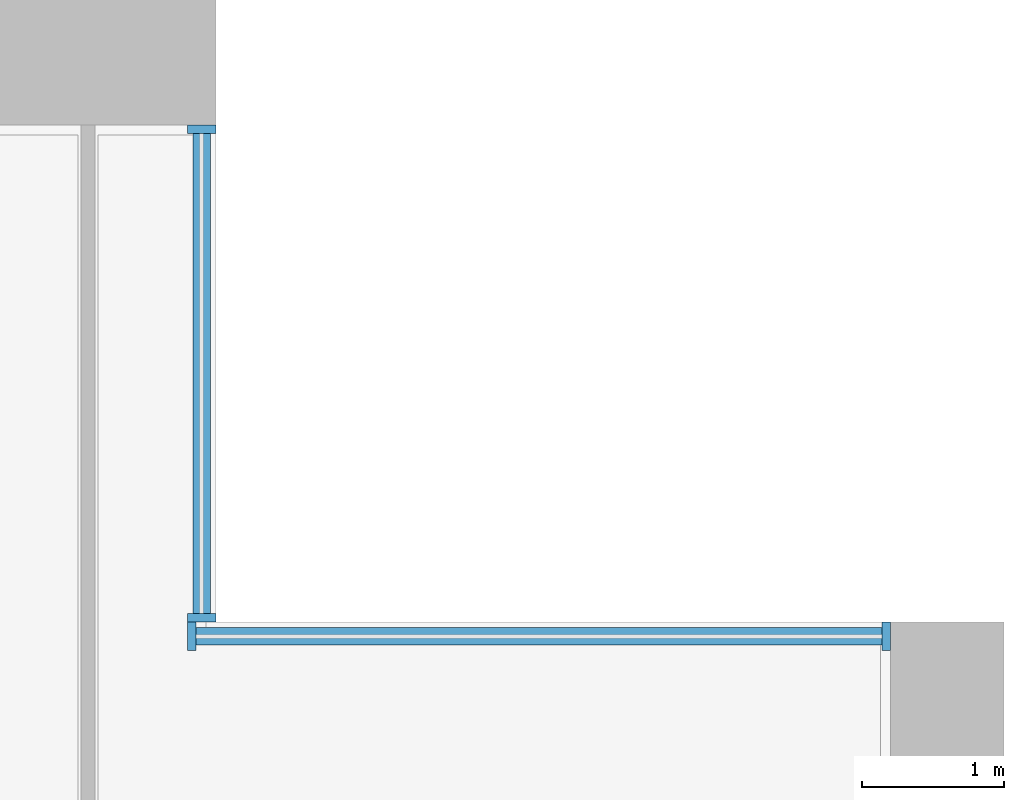
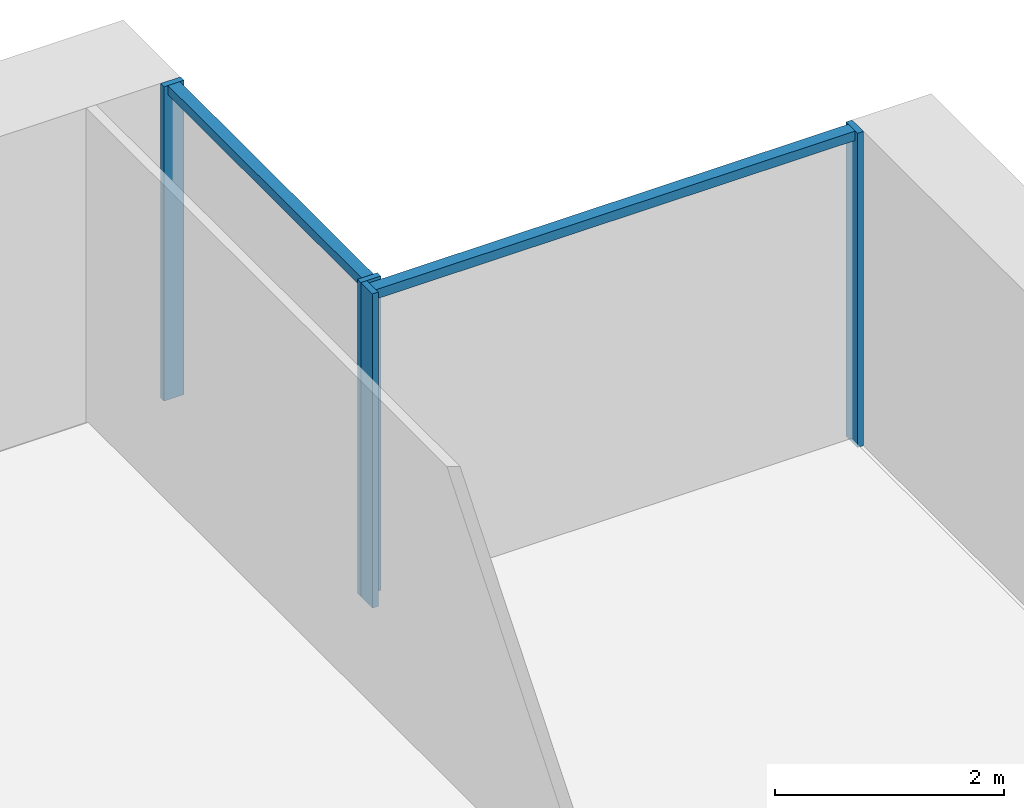
# One storey, part 6 of 18: 6 members, 2 elements without a shape of their own.
"""IFC4 building model written with IfcOpenShell, lengths in metres."""

from ifc_helpers import new_model, si_unit, direction, frame, origin, origin_2d, place, context, subcontext, project, spatial, rectangle, extrude, material, material_profile, profile_set, type_object, element, aggregate, save


model = new_model("IFC4")

# Units and contexts
model_context = context("Model", 3, precision=1e-05, world=origin(), true_north=direction((0.0, 1.0)))
body_context = subcontext(model_context, "Body", "Model", "MODEL_VIEW")
ifc_project = project(units=[si_unit("LENGTHUNIT", "METRE"), si_unit("AREAUNIT", "SQUARE_METRE"), si_unit("VOLUMEUNIT", "CUBIC_METRE"), si_unit("PLANEANGLEUNIT", "RADIAN"), si_unit("MASSUNIT", "GRAM", prefix="KILO")], contexts=[model_context])

# Site, building, storey
site_placement = place(None, origin())
site = spatial("IfcSite", under=ifc_project, at=site_placement, CompositionType="ELEMENT")
building_placement = place(site_placement, origin())
building = spatial("IfcBuilding", under=site, at=building_placement, Name="Calvaro Tower", CompositionType="ELEMENT")
storey_placement = place(building_placement, frame((0.0, 0.0, 48.75)))
storey = spatial("IfcBuildingStorey", under=building, at=storey_placement, Name="L11", CompositionType="ELEMENT", Elevation=48.75)

# Curtain wall, members
ifc_material_1 = material(Name="Anodised aluminium", Category="aluminium")
curtain_wall_type = type_object("IfcCurtainWallType", Name="Office curtain wall, lower zone", PredefinedType="NOTDEFINED", material=ifc_material_1)
curtain_wall_1_placement = place(storey_placement, origin())
curtain_wall_1 = element("IfcCurtainWall", 1, at=curtain_wall_1_placement, inside=storey, type_object=curtain_wall_type, Name="CW1 corner curtain wall", PredefinedType="NOTDEFINED")
ifc_material_2 = material(Name="Anodised aluminium", Category="aluminium")
ifc_material_profile_1 = material_profile(ifc_material_2, rectangle(XDim=0.199951171875, YDim=0.06005859375, at=origin_2d()), Name="Mullion S1 60 x 200")
ifc_profile_set_1 = profile_set([ifc_material_profile_1], Name="Anodised aluminium")
member_type_1 = type_object("IfcMemberType", Name="Mullion S1 60 x 200", PredefinedType="MULLION", material=ifc_profile_set_1)
member_1_placement = place(storey_placement, frame((72.35009765625, 41.530029296875, 0.0), z_axis=(0.0, 0.0, 1.0), x_axis=(-1.0, 0.0, 0.0)))
member_1 = element("IfcMember", 2, at=member_1_placement, type_object=member_type_1, Name="CW1 mullion 1", PredefinedType="MULLION", context=body_context, shape_type="SweptSolid", body=[
    extrude(rectangle(XDim=0.199951171875, YDim=0.06005859375, at=origin_2d()), origin(), (0.0, 0.0, 1.0), 3.35009765625),
])
member_2_placement = place(storey_placement, frame((72.35009765625, 44.969970703125, 0.0), z_axis=(0.0, 0.0, 1.0), x_axis=(-1.0, 0.0, 0.0)))
member_2 = element("IfcMember", 3, at=member_2_placement, type_object=member_type_1, Name="CW1 mullion 2", PredefinedType="MULLION", context=body_context, shape_type="SweptSolid", body=[
    extrude(rectangle(XDim=0.199951171875, YDim=0.06005859375, at=origin_2d()), origin(), (0.0, 0.0, 1.0), 3.35009765625),
])

curtain_wall_2_placement = place(storey_placement, origin())
curtain_wall_2 = element("IfcCurtainWall", 4, at=curtain_wall_2_placement, inside=storey, type_object=curtain_wall_type, Name="CW1 corner curtain wall", PredefinedType="NOTDEFINED")
member_3_placement = place(storey_placement, frame((72.280029296875, 41.39990234375, 0.0), z_axis=(0.0, 0.0, 1.0), x_axis=(0.0, 1.0, 0.0)))
member_3 = element("IfcMember", 5, at=member_3_placement, type_object=member_type_1, Name="CW1 mullion 1", PredefinedType="MULLION", context=body_context, shape_type="SweptSolid", body=[
    extrude(rectangle(XDim=0.199951171875, YDim=0.06005859375, at=origin_2d()), origin(), (0.0, 0.0, 1.0), 3.35009765625),
])
member_4_placement = place(storey_placement, frame((77.169921875, 41.39990234375, 0.0), z_axis=(0.0, 0.0, 1.0), x_axis=(0.0, 1.0, 0.0)))
member_4 = element("IfcMember", 6, at=member_4_placement, type_object=member_type_1, Name="CW1 mullion 2", PredefinedType="MULLION", context=body_context, shape_type="SweptSolid", body=[
    extrude(rectangle(XDim=0.199951171875, YDim=0.06005859375, at=origin_2d()), origin(), (0.0, 0.0, 1.0), 3.35009765625),
])

# Member
ifc_material_3 = material(Name="Anodised aluminium", Category="aluminium")
ifc_material_profile_2 = material_profile(ifc_material_3, rectangle(XDim=0.1201171875, YDim=0.10009765625, at=origin_2d()), Name="Transom S1 100 x 120")
ifc_profile_set_2 = profile_set([ifc_material_profile_2], Name="Anodised aluminium")
member_type_2 = type_object("IfcMemberType", Name="Transom S1 100 x 120", PredefinedType="USERDEFINED", material=ifc_profile_set_2)
member_5_placement = place(storey_placement, frame((72.35009765625, 41.56005859375, 3.300048828125), z_axis=(0.0, 1.0, 0.0), x_axis=(-1.0, 0.0, 0.0)))
member_5 = element("IfcMember", 7, at=member_5_placement, type_object=member_type_2, Name="CW1 transom 1.1", ObjectType="TRANSOM", PredefinedType="USERDEFINED", context=body_context, shape_type="SweptSolid", body=[
    extrude(rectangle(XDim=0.1201171875, YDim=0.10009765625, at=origin_2d()), origin(), (0.0, 0.0, 1.0), 3.3798828125),
])

aggregate(curtain_wall_1, [member_1, member_2, member_5])

member_6_placement = place(storey_placement, frame((72.31005859375, 41.39990234375, 3.300048828125), z_axis=(1.0, 0.0, 0.0), x_axis=(0.0, 1.0, 0.0)))
member_6 = element("IfcMember", 8, at=member_6_placement, type_object=member_type_2, Name="CW1 transom 1.1", ObjectType="TRANSOM", PredefinedType="USERDEFINED", context=body_context, shape_type="SweptSolid", body=[
    extrude(rectangle(XDim=0.1201171875, YDim=0.10009765625, at=origin_2d()), origin(), (0.0, 0.0, 1.0), 4.829833984375),
])

aggregate(curtain_wall_2, [member_3, member_4, member_6])

save(model, "model.ifc")
